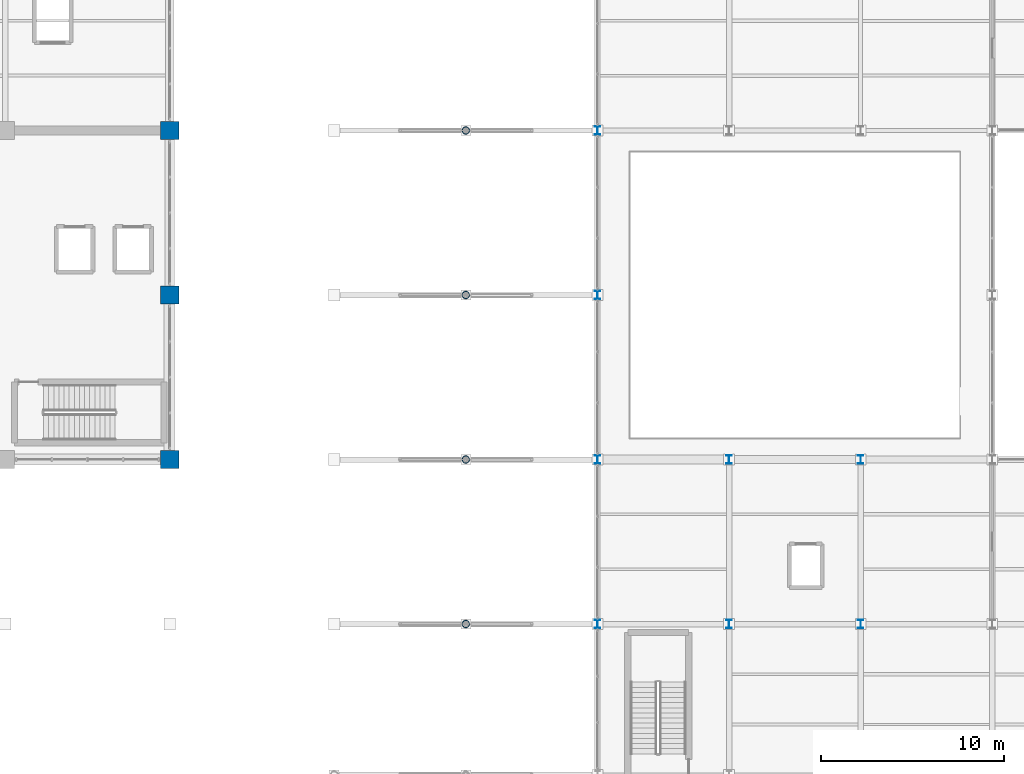
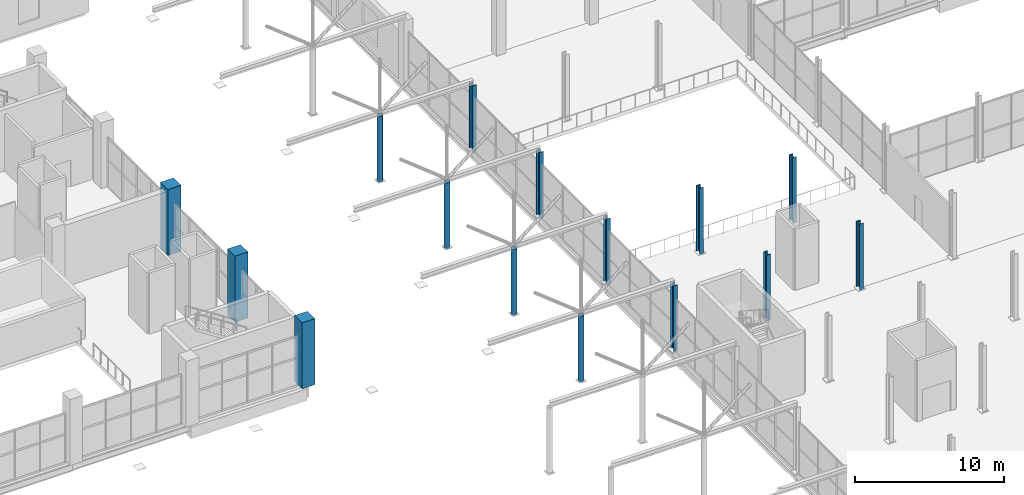
# One storey, part 3 of 147: 15 columns.
"""IFC4 building model written with IfcOpenShell, lengths in metres."""

from ifc_helpers import new_model, si_unit, direction, frame, origin, origin_2d, place, context, subcontext, project, spatial, rectangle, hollow_circle, i_section, extrude, material, material_profile, profile_set, type_object, element, save


model = new_model("IFC4")

# Units and contexts
model_context = context("Model", 3, precision=1e-05, world=origin(), true_north=direction((0.0, 1.0)))
body_context = subcontext(model_context, "Body", "Model", "MODEL_VIEW")
ifc_project = project(units=[si_unit("LENGTHUNIT", "METRE"), si_unit("AREAUNIT", "SQUARE_METRE"), si_unit("VOLUMEUNIT", "CUBIC_METRE"), si_unit("PLANEANGLEUNIT", "RADIAN"), si_unit("MASSUNIT", "GRAM", prefix="KILO")], contexts=[model_context])

# Site, building, storey
site_placement = place(None, origin())
site = spatial("IfcSite", under=ifc_project, at=site_placement, CompositionType="ELEMENT")
building_placement = place(site_placement, origin())
building = spatial("IfcBuilding", under=site, at=building_placement, Name="Sundgate Opera House", CompositionType="ELEMENT")
storey_placement = place(building_placement, frame((0.0, 0.0, 6.0)))
storey = spatial("IfcBuildingStorey", under=building, at=storey_placement, Name="L01", CompositionType="ELEMENT", Elevation=6.0)

# Columns
ifc_material_1 = material(Name="Steel S355ML", Category="steel")
ifc_material_profile_1 = material_profile(ifc_material_1, hollow_circle(Radius=0.203125, WallThickness=0.02001953125, at=origin_2d()), Name="CHS 406.4x20.0")
ifc_profile_set_1 = profile_set([ifc_material_profile_1], Name="Steel S355ML")
column_type_1 = type_object("IfcColumnType", Name="CL-CHS-406", PredefinedType="COLUMN", material=ifc_profile_set_1)
for number, where, z_axis, x_axis, name in (
    (1, (88.199951171875, 33.0, 0.0), (0.0, 0.0, 1.0), (1.0, 0.0, 0.0), "L01 Column C0594"),
    (2, (88.199951171875, 42.0, 0.0), (0.0, 0.0, 1.0), (1.0, 0.0, 0.0), "L01 Column C0597"),
    (3, (88.199951171875, 51.0, 0.0), (0.0, 0.0, 1.0), (1.0, 0.0, 0.0), "L01 Column C0600"),
    (4, (88.199951171875, 60.0, 0.0), (0.0, 0.0, 1.0), (1.0, 0.0, 0.0), "L01 Column C0603"),
):
    element("IfcColumn", number, at=place(storey_placement, frame(where, z_axis=z_axis, x_axis=x_axis)), inside=storey, type_object=column_type_1, Name=name, PredefinedType="COLUMN", context=body_context, shape_type="SweptSolid", body=[
        extrude(hollow_circle(Radius=0.203125, WallThickness=0.02001953125, at=origin_2d()), origin(), (0.0, 0.0, 1.0), 5.39990234375),
    ])
ifc_material_2 = material(Name="Concrete C45/55", Category="concrete")
ifc_material_profile_2 = material_profile(ifc_material_2, rectangle(XDim=1.0, YDim=1.0, at=origin_2d()), Name="RC 1000x1000")
ifc_profile_set_2 = profile_set([ifc_material_profile_2], Name="Concrete C45/55")
column_type_2 = type_object("IfcColumnType", Name="CL-RC-1000", PredefinedType="COLUMN", material=ifc_profile_set_2)
for number, where, z_axis, x_axis, name in (
    (5, (72.0, 42.0, 0.0), (0.0, 0.0, 1.0), (1.0, 0.0, 0.0), "L01 Column C0463"),
    (6, (72.0, 51.0, 0.0), (0.0, 0.0, 1.0), (1.0, 0.0, 0.0), "L01 Column C0470"),
    (7, (72.0, 60.0, 0.0), (0.0, 0.0, 1.0), (1.0, 0.0, 0.0), "L01 Column C0477"),
):
    element("IfcColumn", number, at=place(storey_placement, frame(where, z_axis=z_axis, x_axis=x_axis)), inside=storey, type_object=column_type_2, Name=name, PredefinedType="COLUMN", context=body_context, shape_type="SweptSolid", body=[
        extrude(rectangle(XDim=1.0, YDim=1.0, at=origin_2d()), origin(), (0.0, 0.0, 1.0), 5.39990234375),
    ])
ifc_material_3 = material(Name="Steel S355J2", Category="steel")
ifc_material_profile_3 = material_profile(ifc_material_3, i_section(OverallWidth=0.300048828125, OverallDepth=0.449951171875, WebThickness=0.013916015625, FlangeThickness=0.02587890625, at=origin_2d()), Name="HEB 450")
ifc_profile_set_3 = profile_set([ifc_material_profile_3], Name="Steel S355J2")
column_type_3 = type_object("IfcColumnType", Name="CL-STL-450", PredefinedType="COLUMN", material=ifc_profile_set_3)
for number, where, z_axis, x_axis, name in (
    (8, (95.39990234375, 33.0, 0.0), (0.0, 0.0, 1.0), (1.0, 0.0, 0.0), "L01 Column C0642"),
    (9, (95.39990234375, 42.0, 0.0), (0.0, 0.0, 1.0), (1.0, 0.0, 0.0), "L01 Column C0646"),
    (10, (95.39990234375, 51.0, 0.0), (0.0, 0.0, 1.0), (1.0, 0.0, 0.0), "L01 Column C0650"),
    (11, (95.39990234375, 60.0, 0.0), (0.0, 0.0, 1.0), (1.0, 0.0, 0.0), "L01 Column C0654"),
    (12, (102.60009765625, 33.0, 0.0), (0.0, 0.0, 1.0), (1.0, 0.0, 0.0), "L01 Column C0709"),
    (13, (102.60009765625, 42.0, 0.0), (0.0, 0.0, 1.0), (1.0, 0.0, 0.0), "L01 Column C0713"),
    (14, (109.800048828125, 33.0, 0.0), (0.0, 0.0, 1.0), (1.0, 0.0, 0.0), "L01 Column C0773"),
    (15, (109.800048828125, 42.0, 0.0), (0.0, 0.0, 1.0), (1.0, 0.0, 0.0), "L01 Column C0777"),
):
    element("IfcColumn", number, at=place(storey_placement, frame(where, z_axis=z_axis, x_axis=x_axis)), inside=storey, type_object=column_type_3, Name=name, PredefinedType="COLUMN", context=body_context, shape_type="SweptSolid", body=[
        extrude(i_section(OverallWidth=0.300048828125, OverallDepth=0.449951171875, WebThickness=0.013916015625, FlangeThickness=0.02587890625, at=origin_2d()), origin(), (0.0, 0.0, 1.0), 5.39990234375),
    ])

save(model, "model.ifc")
